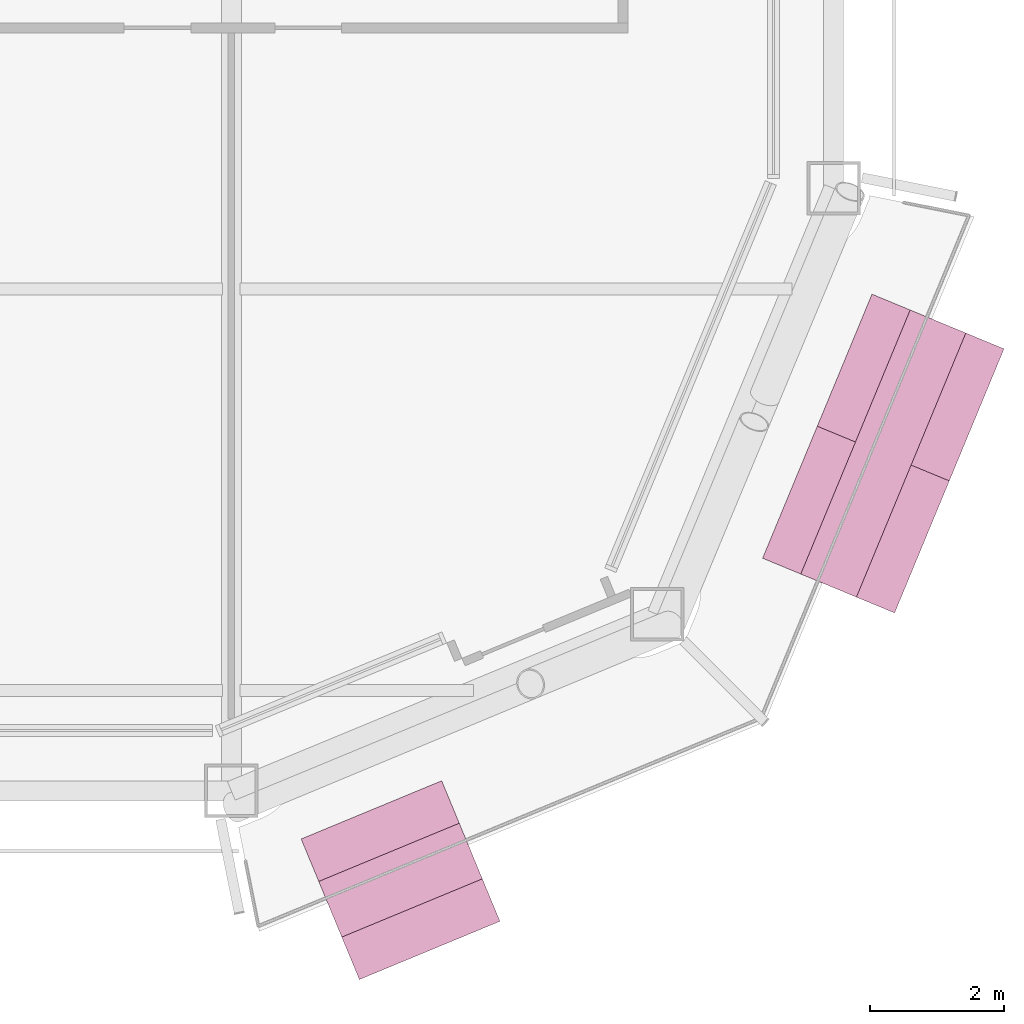
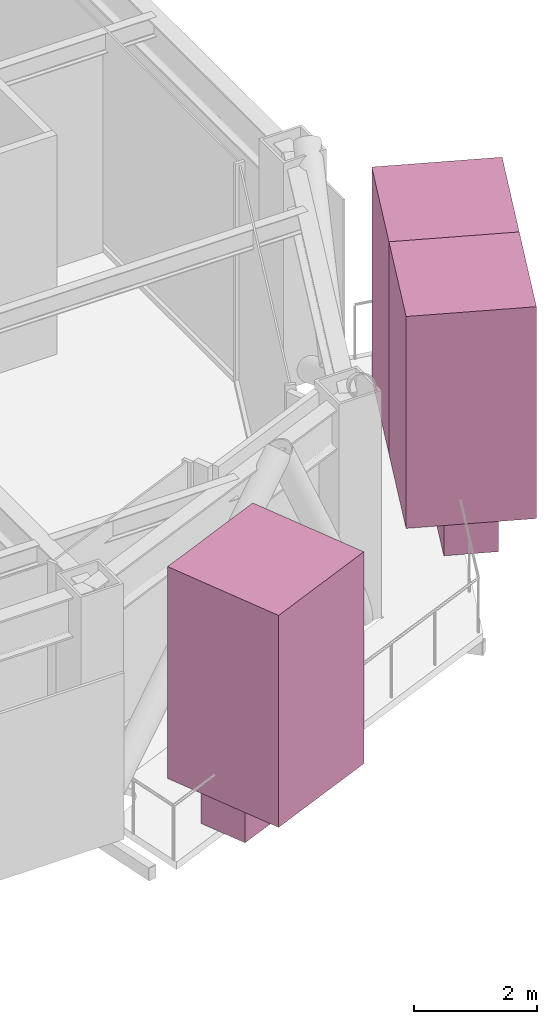
# One storey, part 23 of 23: 5 furnishings.
"""IFC4 building model written with IfcOpenShell, lengths in metres."""

from ifc_helpers import new_model, si_unit, direction, frame, origin, origin_2d, place, context, subcontext, project, spatial, rectangle, extrude, material, type_object, element, save


model = new_model("IFC4")

# Units and contexts
model_context = context("Model", 3, precision=1e-05, world=origin(), true_north=direction((0.0, 1.0)))
body_context = subcontext(model_context, "Body", "Model", "MODEL_VIEW")
ifc_project = project(units=[si_unit("LENGTHUNIT", "METRE"), si_unit("AREAUNIT", "SQUARE_METRE"), si_unit("VOLUMEUNIT", "CUBIC_METRE"), si_unit("PLANEANGLEUNIT", "RADIAN"), si_unit("MASSUNIT", "GRAM", prefix="KILO")], contexts=[model_context])

# Site, building, storey
site_placement = place(None, origin())
site = spatial("IfcSite", under=ifc_project, at=site_placement, CompositionType="ELEMENT")
building_placement = place(site_placement, origin())
building = spatial("IfcBuilding", under=site, at=building_placement, Name="Siwar Civic Tower", CompositionType="ELEMENT")
storey_placement = place(building_placement, frame((0.0, 0.0, 237.699951171875)))
storey = spatial("IfcBuildingStorey", under=building, at=storey_placement, Name="L51", CompositionType="ELEMENT", Elevation=237.699951171875)

# Furnishings
ifc_material_1 = material(Name="Planting soil and foliage")
furnishing_element_type_1 = type_object("IfcFurnishingElementType", Name="ENV-PLANTER", material=ifc_material_1)
furnishing_1_placement = place(storey_placement, frame((20.5283203125, -28.333984375, 0.0), z_axis=(0.0, 0.0, 1.0), x_axis=(0.923879532511, 0.382683432365, 0.0)))
element("IfcFurnishingElement", 1, at=furnishing_1_placement, inside=storey, type_object=furnishing_element_type_1, Name="PLANTER SE 1", context=body_context, shape_type="SweptSolid", body=[
    extrude(rectangle(XDim=2.273193359375, YDim=0.89990234375, at=origin_2d()), origin(), (0.0, 0.0, 1.0), 0.60009765625),
])
furnishing_2_placement = place(storey_placement, frame((27.740966796875, -21.960205078125, 0.0), z_axis=(0.0, 0.0, 1.0), x_axis=(0.382683432365, 0.923879532511, 0.0)))
element("IfcFurnishingElement", 2, at=furnishing_2_placement, inside=storey, type_object=furnishing_element_type_1, Name="PLANTER SE 2", context=body_context, shape_type="SweptSolid", body=[
    extrude(rectangle(XDim=4.270751953125, YDim=0.89990234375, at=origin_2d()), origin(), (0.0, 0.0, 1.0), 0.60009765625),
])
ifc_material_2 = material(Name="Planting soil and foliage")
furnishing_element_type_2 = type_object("IfcFurnishingElementType", Name="ENV-TREE", material=ifc_material_2)
furnishing_3_placement = place(storey_placement, frame((20.5283203125, -28.333984375, 0.60009765625), z_axis=(0.0, 0.0, 1.0), x_axis=(0.923879532511, 0.382683432365, 0.0)))
element("IfcFurnishingElement", 3, at=furnishing_3_placement, inside=storey, type_object=furnishing_element_type_2, Name="PLANTER (TREE) SE 1.1", context=body_context, shape_type="SweptSolid", body=[
    extrude(rectangle(XDim=2.273193359375, YDim=2.273193359375, at=origin_2d()), origin(), (0.0, 0.0, 1.0), 4.199951171875),
])
for number, where, z_axis, x_axis, name in (
    (4, (27.332275390625, -22.94677734375, 0.60009765625), (0.0, 0.0, 1.0), (0.382683432365, 0.923879532511, 0.0), "PLANTER (TREE) SE 2.1"),
    (5, (28.1494140625, -20.973876953125, 0.60009765625), (0.0, 0.0, 1.0), (0.382683432365, 0.923879532511, 0.0), "PLANTER (TREE) SE 2.2"),
):
    element("IfcFurnishingElement", number, at=place(storey_placement, frame(where, z_axis=z_axis, x_axis=x_axis)), inside=storey, type_object=furnishing_element_type_2, Name=name, context=body_context, shape_type="SweptSolid", body=[
        extrude(rectangle(XDim=2.13525390625, YDim=2.13525390625, at=origin_2d()), origin(), (0.0, 0.0, 1.0), 4.199951171875),
    ])

save(model, "model.ifc")
